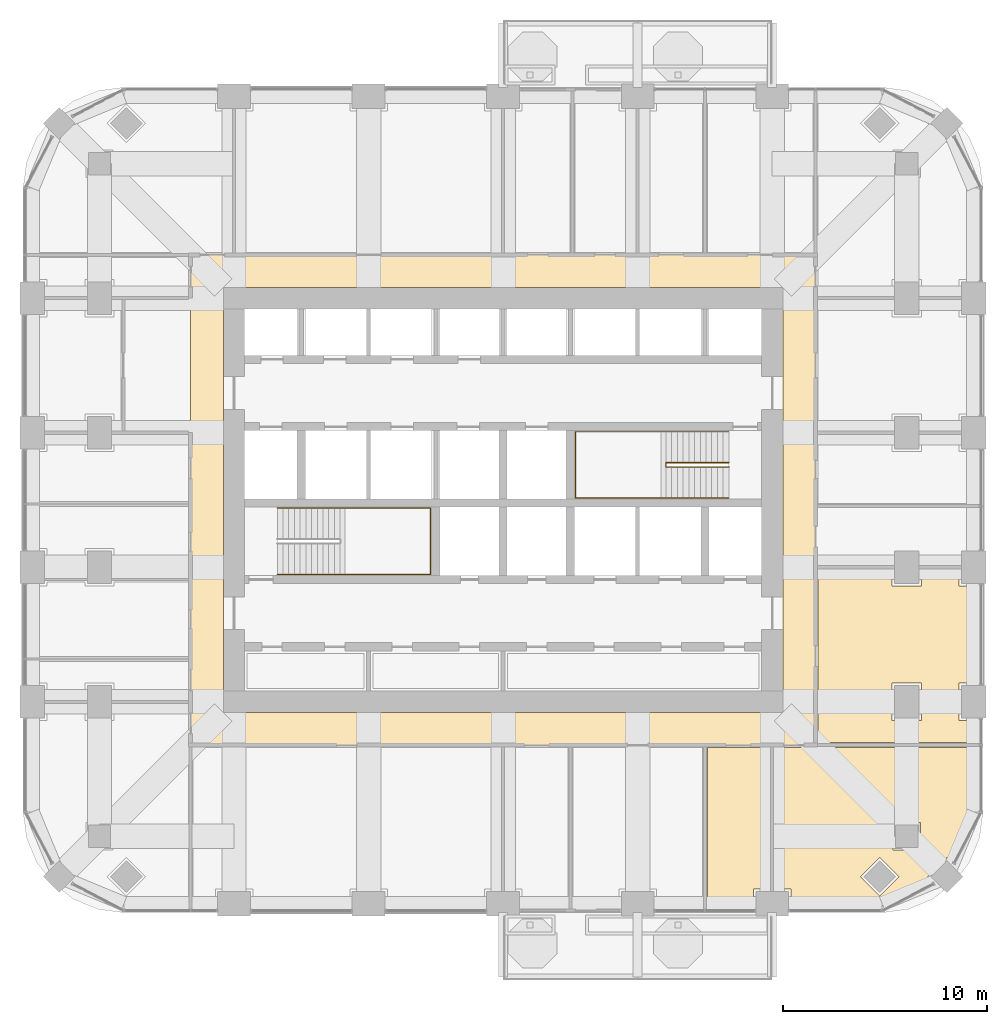
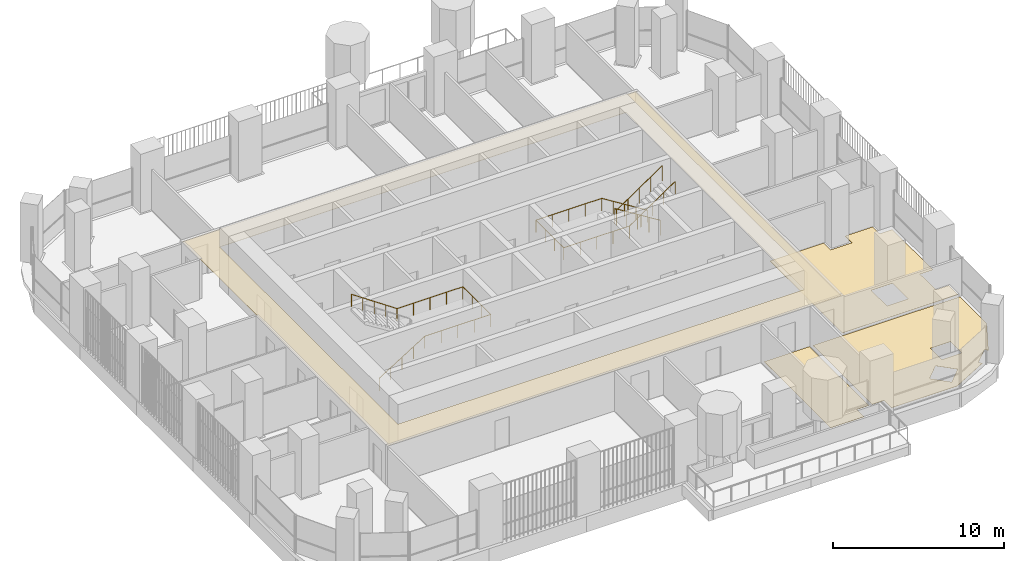
# One storey, part 17 of 19: 4 coverings, 3 railings.
"""IFC4 building model written with IfcOpenShell, lengths in metres."""

import ifcopenshell
import ifcopenshell.guid

model = None  # the IFC model being written
_history = None  # IfcOwnerHistory: only IFC2X3 demands one
_inside = {}  # id of a spatial element -> (the spatial element, [elements in it])
_under = {}  # id of a project, library or spatial element -> (it, [spatial elements below it])
_declared = {}  # id of a project -> (the project, [libraries it declares])
_typed = {}  # id of a type object -> (the type object, [elements of that type])
_made_of = {}  # id of a material, layer set ... -> (it, [elements and type objects made of it])


def new_model(schema):
    """Start an empty IFC model of exactly this schema.

    Asked for "IFC4X3", IfcOpenShell would pick the latest addendum, in which some entities
    have other attributes; the version numbers below select the first issue.
    IFC2X3 requires an IfcOwnerHistory on every rooted entity: one is made here for all.
    """
    global model, _history
    if schema == "IFC4X3":
        model = ifcopenshell.file(schema_version=(4, 3, 0, 0))
    else:
        model = ifcopenshell.file(schema=schema)
    _inside.clear()
    _under.clear()
    _declared.clear()
    _typed.clear()
    _made_of.clear()
    _history = None
    if model.schema == "IFC2X3":
        org = make("IfcOrganization", Name="unknown")
        user = make(
            "IfcPersonAndOrganization",
            ThePerson=make("IfcPerson", FamilyName="unknown"),
            TheOrganization=org,
        )
        app = make(
            "IfcApplication",
            ApplicationDeveloper=org,
            Version="unknown",
            ApplicationFullName="unknown",
            ApplicationIdentifier="unknown",
        )
        _history = make(
            "IfcOwnerHistory",
            OwningUser=user,
            OwningApplication=app,
            ChangeAction="ADDED",
            CreationDate=0,
        )
    return model


def make(cls, **values):
    """One entity of the class cls with the attributes given. An attribute that is None is left unset."""
    return model.create_entity(
        cls, **{name: value for name, value in values.items() if value is not None}
    )


def rooted(cls, **values):
    """An entity with a GlobalId (a new one), such as an element, a storey or a relation."""
    return make(cls, GlobalId=ifcopenshell.guid.new(), OwnerHistory=_history, **values)


def si_unit(unit_type, name, prefix=None):
    """IfcSIUnit, for example si_unit("LENGTHUNIT", "METRE", prefix="MILLI")."""
    return make("IfcSIUnit", UnitType=unit_type, Prefix=prefix, Name=name)


def assignment(units):
    """IfcUnitAssignment: the units of a project."""
    return None if units is None else make("IfcUnitAssignment", Units=units)


def point(xyz):
    """IfcCartesianPoint."""
    return None if xyz is None else make("IfcCartesianPoint", Coordinates=xyz)


def direction(xyz):
    """IfcDirection."""
    return None if xyz is None else make("IfcDirection", DirectionRatios=xyz)


def frame(location, z_axis=None, x_axis=None):
    """IfcAxis2Placement3D, a coordinate frame: its origin and axes. An axis left out is left unset."""
    return make(
        "IfcAxis2Placement3D",
        Location=point(location),
        Axis=direction(z_axis),
        RefDirection=direction(x_axis),
    )


def origin():
    """The frame at (0, 0, 0) with its axes left unset."""
    return frame((0.0, 0.0, 0.0))


def place(relative_to, where):
    """IfcLocalPlacement: puts the frame where relative to a parent placement (None: the world)."""
    return make(
        "IfcLocalPlacement", PlacementRelTo=relative_to, RelativePlacement=where
    )


def context(
    kind, dimensions, precision=None, world=None, true_north=None, identifier=None
):
    """IfcGeometricRepresentationContext, for example the 3D "Model" context."""
    return make(
        "IfcGeometricRepresentationContext",
        ContextIdentifier=identifier,
        ContextType=kind,
        CoordinateSpaceDimension=dimensions,
        Precision=precision,
        WorldCoordinateSystem=world,
        TrueNorth=true_north,
    )


def subcontext(parent, identifier, kind, view, scale=None):
    """IfcGeometricRepresentationSubContext, for example "Body" below "Model"."""
    return make(
        "IfcGeometricRepresentationSubContext",
        ContextIdentifier=identifier,
        ContextType=kind,
        ParentContext=parent,
        TargetScale=scale,
        TargetView=view,
    )


def project(units=None, contexts=None):
    """IfcProject with its units and contexts."""
    return rooted(
        "IfcProject",
        Name="project",
        RepresentationContexts=contexts,
        UnitsInContext=assignment(units),
    )


def spatial(cls, under=None, at=None, **own):
    """A site, building, storey or space (cls), placed at a placement, below another one or the project."""
    s = rooted(cls, ObjectPlacement=at, **own)
    if under is not None:
        _under.setdefault(under.id(), (under, []))[1].append(s)
    return s


def polyline(points):
    """IfcPolyline through the points."""
    return make("IfcPolyline", Points=[point(p) for p in points])


def outline(outer, holes=None, kind="AREA"):
    """IfcArbitraryClosedProfileDef: a profile drawn as a closed curve; with holes, ...WithVoids."""
    if holes is None:
        return make("IfcArbitraryClosedProfileDef", ProfileType=kind, OuterCurve=outer)
    return make(
        "IfcArbitraryProfileDefWithVoids",
        ProfileType=kind,
        OuterCurve=outer,
        InnerCurves=holes,
    )


def extrude(swept, where, along, depth):
    """IfcExtrudedAreaSolid: the profile swept, set in the frame where, extruded along a direction by depth."""
    return make(
        "IfcExtrudedAreaSolid",
        SweptArea=swept,
        Position=where,
        ExtrudedDirection=direction(along),
        Depth=depth,
    )


def shape(context_of_items, identifier, shape_type, items):
    """IfcShapeRepresentation: the items that make up one representation, for example the "Body"."""
    return make(
        "IfcShapeRepresentation",
        ContextOfItems=context_of_items,
        RepresentationIdentifier=identifier,
        RepresentationType=shape_type,
        Items=items,
    )


def material(Name=None, Category=None):
    """IfcMaterial."""
    return make("IfcMaterial", Name=Name, Category=Category)


def layer(
    of_material, thickness, ventilated=None, Name=None, Category=None, Priority=None
):
    """IfcMaterialLayer: one layer of a wall or slab, of a material (None: an air gap)."""
    return make(
        "IfcMaterialLayer",
        Material=of_material,
        LayerThickness=thickness,
        IsVentilated=ventilated,
        Name=Name,
        Category=Category,
        Priority=Priority,
    )


def layer_set(layers, Name=None):
    """IfcMaterialLayerSet."""
    return make("IfcMaterialLayerSet", MaterialLayers=layers, LayerSetName=Name)


def made_of(thing, what):
    """Note that an element or type object is made of a material, layer set ...; save() writes the relation."""
    if what is not None:
        _made_of.setdefault(what.id(), (what, []))[1].append(thing)
    return thing


def type_object(cls, material=None, **own):
    """A type object (cls), such as IfcWallType, which elements share."""
    return made_of(rooted(cls, **own), material)


def element(
    cls,
    number,
    at=None,
    inside=None,
    cuts=None,
    type_object=None,
    material=None,
    context=None,
    identifier="Body",
    shape_type=None,
    held_by="IfcProductDefinitionShape",
    body=None,
    shapes=None,
    **own,
):
    """One element of the class cls, such as IfcWall. Its Tag is "e" and its number.

    at: its placement. inside: the storey or other place that contains it. cuts: it is an
    opening in that element (IfcRelVoidsElement). A single representation is given by context,
    identifier, shape_type and body (its items); several are given by shapes. held_by: the class
    of the entity that holds the representations. save() writes the other relations.
    """
    e = rooted(cls, Tag="e%d" % number, ObjectPlacement=at, **own)
    if body is not None:
        shapes = [shape(context, identifier, shape_type, body)]
    if shapes is not None:
        e.Representation = make(held_by, Representations=shapes)
    if inside is not None:
        _inside.setdefault(inside.id(), (inside, []))[1].append(e)
    if cuts is not None:
        rooted(
            "IfcRelVoidsElement", RelatingBuildingElement=cuts, RelatedOpeningElement=e
        )
    if type_object is not None:
        _typed.setdefault(type_object.id(), (type_object, []))[1].append(e)
    return made_of(e, material)


def aggregate(whole, parts):
    """IfcRelAggregates: a whole, such as a stair, and the parts it consists of."""
    return rooted("IfcRelAggregates", RelatingObject=whole, RelatedObjects=parts)


def save(model, path):
    """Write the relations noted so far, then the file.

    IfcRelAggregates (storeys below a building ...), IfcRelContainedInSpatialStructure (elements
    in a storey), IfcRelDefinesByType, IfcRelAssociatesMaterial and IfcRelDeclares: one each for
    every whole, place, type object, material and project.
    """
    for whole, parts in _under.values():
        aggregate(whole, parts)
    for where, things in _inside.values():
        rooted(
            "IfcRelContainedInSpatialStructure",
            RelatedElements=things,
            RelatingStructure=where,
        )
    for kind, things in _typed.values():
        rooted("IfcRelDefinesByType", RelatedObjects=things, RelatingType=kind)
    for what, things in _made_of.values():
        rooted("IfcRelAssociatesMaterial", RelatedObjects=things, RelatingMaterial=what)
    for by, libraries in _declared.values():
        rooted("IfcRelDeclares", RelatingContext=by, RelatedDefinitions=libraries)
    model.write(path)


model = new_model("IFC4")

# Units and contexts
model_context = context("Model", 3, precision=1e-05, world=origin(), true_north=direction((0.0, 1.0)))
body_context = subcontext(model_context, "Body", "Model", "MODEL_VIEW")
ifc_project = project(units=[si_unit("LENGTHUNIT", "METRE"), si_unit("AREAUNIT", "SQUARE_METRE"), si_unit("VOLUMEUNIT", "CUBIC_METRE"), si_unit("PLANEANGLEUNIT", "RADIAN"), si_unit("MASSUNIT", "GRAM", prefix="KILO")], contexts=[model_context])

# Site, building, storey
site_placement = place(None, origin())
site = spatial("IfcSite", under=ifc_project, at=site_placement, CompositionType="ELEMENT")
building_placement = place(site_placement, origin())
building = spatial("IfcBuilding", under=site, at=building_placement, Name="Cobogo Forest Laboratory Tower", CompositionType="ELEMENT")
storey_placement = place(building_placement, frame((0.0, 0.0, 172.5)))
storey = spatial("IfcBuildingStorey", under=building, at=storey_placement, Name="L39", CompositionType="ELEMENT", Elevation=172.5)

# Coverings
ifc_material_1 = material(Name="Mineral fibre ceiling tile", Category="ceiling")
ifc_layer_1 = layer(ifc_material_1, 0.02001953125)
ifc_layer_set_1 = layer_set([ifc_layer_1], Name="CL1 suspended ceiling")
covering_type_1 = type_object("IfcCoveringType", Name="CL1 suspended ceiling", PredefinedType="CEILING", material=ifc_layer_set_1)
covering_1_placement = place(storey_placement, frame((0.0, 0.0, 2.800048828125)))
element("IfcCovering", 1, at=covering_1_placement, inside=storey, type_object=covering_type_1, Name="Corridor ceiling L39", PredefinedType="CEILING", context=body_context, shape_type="SweptSolid", body=[
    extrude(outline(polyline([(11.074951171875, 11.074951171875), (11.074951171875, 35.125), (41.72509765625, 35.125), (41.72509765625, 11.074951171875), (11.074951171875, 11.074951171875)]), holes=[polyline([(40.125, 33.52490234375), (12.675048828125, 33.52490234375), (12.675048828125, 12.675048828125), (40.125, 12.675048828125), (40.125, 33.52490234375)])]), origin(), (0.0, 0.0, 1.0), 0.02001953125),
])
ifc_material_2 = material(Name="Carpet tile on raised access floor", Category="flooring")
ifc_layer_2 = layer(ifc_material_2, 0.008056640625)
ifc_layer_set_2 = layer_set([ifc_layer_2], Name="CT1 carpet tile floor 8")
covering_type_2 = type_object("IfcCoveringType", Name="CT1 carpet tile floor 8", PredefinedType="FLOORING", material=ifc_layer_set_2)
covering_2_placement = place(storey_placement, origin())
element("IfcCovering", 2, at=covering_2_placement, inside=storey, type_object=covering_type_2, Name="Carpet floor L39-05", PredefinedType="FLOORING", context=body_context, shape_type="SweptSolid", body=[
    extrude(outline(polyline([(49.64990234375, 10.955078125), (49.64990234375, 7.84912109375), (48.359619140625, 5.387939453125), (48.181884765625, 5.5654296875), (47.234375, 4.617919921875), (47.412109375, 4.440185546875), (44.95068359375, 3.14990234375), (40.52001953125, 3.14990234375), (40.52001953125, 4.02001953125), (39.719970703125, 4.02001953125), (39.719970703125, 10.955078125), (49.64990234375, 10.955078125)]), holes=[polyline([(45.530029296875, 5.929931640625), (46.8701171875, 5.929931640625), (46.8701171875, 7.27001953125), (45.530029296875, 7.27001953125), (45.530029296875, 5.929931640625)]), polyline([(44.882080078125, 3.67041015625), (45.82958984375, 4.617919921875), (44.882080078125, 5.5654296875), (43.9345703125, 4.617919921875), (44.882080078125, 3.67041015625)])]), origin(), (0.0, 0.0, 1.0), 0.008056640625),
])
covering_3_placement = place(storey_placement, origin())
element("IfcCovering", 3, at=covering_3_placement, inside=storey, type_object=covering_type_2, Name="Carpet floor L39-06", PredefinedType="FLOORING", context=body_context, shape_type="SweptSolid", body=[
    extrude(outline(polyline([(41.844970703125, 19.679931640625), (45.47998046875, 19.679931640625), (45.47998046875, 18.8798828125), (46.919921875, 18.8798828125), (46.919921875, 19.679931640625), (48.780029296875, 19.679931640625), (48.780029296875, 18.8798828125), (49.64990234375, 18.8798828125), (49.64990234375, 14.1201171875), (48.780029296875, 14.1201171875), (48.780029296875, 12.280029296875), (49.64990234375, 12.280029296875), (49.64990234375, 11.195068359375), (41.844970703125, 11.195068359375), (41.844970703125, 19.679931640625)]), holes=[polyline([(46.919921875, 12.280029296875), (46.919921875, 14.1201171875), (45.47998046875, 14.1201171875), (45.47998046875, 12.280029296875), (46.919921875, 12.280029296875)])]), origin(), (0.0, 0.0, 1.0), 0.008056640625),
])

# Railings
ifc_material_3 = material(Name="Steel balustrade", Category="steel")
railing_type_1 = type_object("IfcRailingType", Name="GR stair guard 1100", PredefinedType="GUARDRAIL", material=ifc_material_3)
railing_1_placement = place(storey_placement, frame((37.47509765625, 24.929931640625, 0.175048828125)))
element("IfcRailing", 4, at=railing_1_placement, inside=storey, type_object=railing_type_1, Name="Stair guard ST2 L39", PredefinedType="GUARDRAIL", context=body_context, shape_type="SweptSolid", body=[
    extrude(outline(polyline([(0.022216796875, 0.00927734375), (0.00927734375, 0.022216796875), (-0.00927734375, 0.022216796875), (-0.022216796875, 0.00927734375), (-0.022216796875, -0.00927734375), (-0.00927734375, -0.022216796875), (0.00927734375, -0.022216796875), (0.022216796875, -0.00927734375), (0.022216796875, 0.00927734375)])), frame((0.0, 0.0, 1.077880859375), z_axis=(-0.847998304005, 0.0, 0.529998940003), x_axis=(0.0, -1.0, 0.0)), (0.0, 0.0, 1.0), 3.632080078125),
    extrude(outline(polyline([(0.022216796875, 0.00927734375), (0.00927734375, 0.022216796875), (-0.00927734375, 0.022216796875), (-0.022216796875, 0.00927734375), (-0.022216796875, -0.00927734375), (-0.00927734375, -0.022216796875), (0.00927734375, -0.022216796875), (0.022216796875, -0.00927734375), (0.022216796875, 0.00927734375)])), frame((-3.080078125, 0.0, 3.0029296875), z_axis=(0.0, -1.0, 0.0), x_axis=(1.0, 0.0, 0.0)), (0.0, 0.0, 1.0), 0.2099609375),
    extrude(outline(polyline([(0.022216796875, 0.00927734375), (0.00927734375, 0.022216796875), (-0.00927734375, 0.022216796875), (-0.022216796875, 0.00927734375), (-0.022216796875, -0.00927734375), (-0.00927734375, -0.022216796875), (0.00927734375, -0.022216796875), (0.022216796875, -0.00927734375), (0.022216796875, 0.00927734375)])), frame((-3.080078125, -0.2099609375, 3.0029296875), z_axis=(0.826252282691, 0.0, 0.563300244406), x_axis=(0.0, 1.0, 0.0)), (0.0, 0.0, 1.0), 3.727783203125),
    extrude(outline(polyline([(0.019287109375, 0.008056640625), (0.008056640625, 0.019287109375), (-0.008056640625, 0.019287109375), (-0.019287109375, 0.008056640625), (-0.019287109375, -0.008056640625), (-0.008056640625, -0.019287109375), (0.008056640625, -0.019287109375), (0.019287109375, -0.008056640625), (0.019287109375, 0.008056640625)])), origin(), (0.0, 0.0, 1.0), 1.077880859375),
    extrude(outline(polyline([(0.019287109375, 0.008056640625), (0.008056640625, 0.019287109375), (-0.008056640625, 0.019287109375), (-0.019287109375, 0.008056640625), (-0.019287109375, -0.008056640625), (-0.008056640625, -0.019287109375), (0.008056640625, -0.019287109375), (0.019287109375, -0.008056640625), (0.019287109375, 0.008056640625)])), frame((-0.77001953125, 0.0, 0.481201171875)), (0.0, 0.0, 1.0), 1.077880859375),
    extrude(outline(polyline([(0.019287109375, 0.008056640625), (0.008056640625, 0.019287109375), (-0.008056640625, 0.019287109375), (-0.019287109375, 0.008056640625), (-0.019287109375, -0.008056640625), (-0.008056640625, -0.019287109375), (0.008056640625, -0.019287109375), (0.019287109375, -0.008056640625), (0.019287109375, 0.008056640625)])), frame((-1.5400390625, 0.0, 0.96240234375)), (0.0, 0.0, 1.0), 1.077880859375),
    extrude(outline(polyline([(0.019287109375, 0.008056640625), (0.008056640625, 0.019287109375), (-0.008056640625, 0.019287109375), (-0.019287109375, 0.008056640625), (-0.019287109375, -0.008056640625), (-0.008056640625, -0.019287109375), (0.008056640625, -0.019287109375), (0.019287109375, -0.008056640625), (0.019287109375, 0.008056640625)])), frame((-2.31005859375, 0.0, 1.44384765625)), (0.0, 0.0, 1.0), 1.077880859375),
    extrude(outline(polyline([(0.019287109375, 0.008056640625), (0.008056640625, 0.019287109375), (-0.008056640625, 0.019287109375), (-0.019287109375, 0.008056640625), (-0.019287109375, -0.008056640625), (-0.008056640625, -0.019287109375), (0.008056640625, -0.019287109375), (0.019287109375, -0.008056640625), (0.019287109375, 0.008056640625)])), frame((-3.080078125, 0.0, 1.925048828125)), (0.0, 0.0, 1.0), 1.077880859375),
    extrude(outline(polyline([(0.019287109375, 0.008056640625), (0.008056640625, 0.019287109375), (-0.008056640625, 0.019287109375), (-0.019287109375, 0.008056640625), (-0.019287109375, -0.008056640625), (-0.008056640625, -0.019287109375), (0.008056640625, -0.019287109375), (0.019287109375, -0.008056640625), (0.019287109375, 0.008056640625)])), frame((-3.080078125, -0.2099609375, 1.925048828125)), (0.0, 0.0, 1.0), 1.077880859375),
    extrude(outline(polyline([(0.019287109375, 0.008056640625), (0.008056640625, 0.019287109375), (-0.008056640625, 0.019287109375), (-0.019287109375, 0.008056640625), (-0.019287109375, -0.008056640625), (-0.008056640625, -0.019287109375), (0.008056640625, -0.019287109375), (0.019287109375, -0.008056640625), (0.019287109375, 0.008056640625)])), frame((-2.31005859375, -0.2099609375, 2.449951171875)), (0.0, 0.0, 1.0), 1.077880859375),
    extrude(outline(polyline([(0.019287109375, 0.008056640625), (0.008056640625, 0.019287109375), (-0.008056640625, 0.019287109375), (-0.019287109375, 0.008056640625), (-0.019287109375, -0.008056640625), (-0.008056640625, -0.019287109375), (0.008056640625, -0.019287109375), (0.019287109375, -0.008056640625), (0.019287109375, 0.008056640625)])), frame((-1.5400390625, -0.2099609375, 2.97509765625)), (0.0, 0.0, 1.0), 1.077880859375),
    extrude(outline(polyline([(0.019287109375, 0.008056640625), (0.008056640625, 0.019287109375), (-0.008056640625, 0.019287109375), (-0.019287109375, 0.008056640625), (-0.019287109375, -0.008056640625), (-0.008056640625, -0.019287109375), (0.008056640625, -0.019287109375), (0.019287109375, -0.008056640625), (0.019287109375, 0.008056640625)])), frame((-0.77001953125, -0.2099609375, 3.5)), (0.0, 0.0, 1.0), 1.077880859375),
    extrude(outline(polyline([(0.019287109375, 0.008056640625), (0.008056640625, 0.019287109375), (-0.008056640625, 0.019287109375), (-0.019287109375, 0.008056640625), (-0.019287109375, -0.008056640625), (-0.008056640625, -0.019287109375), (0.008056640625, -0.019287109375), (0.019287109375, -0.008056640625), (0.019287109375, 0.008056640625)])), frame((0.0, -0.2099609375, 4.02490234375)), (0.0, 0.0, 1.0), 1.077880859375),
])
ifc_material_4 = material(Name="Stainless steel handrail", Category="steel")
railing_type_2 = type_object("IfcRailingType", Name="HR handrail 900", PredefinedType="HANDRAIL", material=ifc_material_4)
railing_2_placement = place(storey_placement, frame((15.324951171875, 19.449951171875, 0.175048828125)))
element("IfcRailing", 5, at=railing_2_placement, inside=storey, type_object=railing_type_2, Name="Stair handrail ST1 L39", PredefinedType="HANDRAIL", context=body_context, shape_type="SweptSolid", body=[
    extrude(outline(polyline([(0.022216796875, 0.00927734375), (0.00927734375, 0.022216796875), (-0.00927734375, 0.022216796875), (-0.022216796875, 0.00927734375), (-0.022216796875, -0.00927734375), (-0.00927734375, -0.022216796875), (0.00927734375, -0.022216796875), (0.022216796875, -0.00927734375), (0.022216796875, 0.00927734375)])), frame((0.0, 0.0, 0.877685546875), z_axis=(0.847998304005, 0.0, 0.529998940003), x_axis=(0.0, 1.0, 0.0)), (0.0, 0.0, 1.0), 3.632080078125),
    extrude(outline(polyline([(0.022216796875, 0.00927734375), (0.00927734375, 0.022216796875), (-0.00927734375, 0.022216796875), (-0.022216796875, 0.00927734375), (-0.022216796875, -0.00927734375), (-0.00927734375, -0.022216796875), (0.00927734375, -0.022216796875), (0.022216796875, -0.00927734375), (0.022216796875, 0.00927734375)])), frame((3.080078125, 0.0, 2.802734375), z_axis=(1.0, 0.0, 0.0), x_axis=(0.0, 1.0, 0.0)), (0.0, 0.0, 1.0), 4.445068359375),
    extrude(outline(polyline([(0.022216796875, 0.00927734375), (0.00927734375, 0.022216796875), (-0.00927734375, 0.022216796875), (-0.022216796875, 0.00927734375), (-0.022216796875, -0.00927734375), (-0.00927734375, -0.022216796875), (0.00927734375, -0.022216796875), (0.022216796875, -0.00927734375), (0.022216796875, 0.00927734375)])), frame((7.525146484375, 0.0, 2.802734375), z_axis=(0.0, 1.0, 0.0), x_axis=(-1.0, 0.0, 0.0)), (0.0, 0.0, 1.0), 3.25),
    extrude(outline(polyline([(0.022216796875, 0.00927734375), (0.00927734375, 0.022216796875), (-0.00927734375, 0.022216796875), (-0.022216796875, 0.00927734375), (-0.022216796875, -0.00927734375), (-0.00927734375, -0.022216796875), (0.00927734375, -0.022216796875), (0.022216796875, -0.00927734375), (0.022216796875, 0.00927734375)])), frame((7.525146484375, 3.25, 2.802734375), z_axis=(-1.0, 0.0, 0.0), x_axis=(0.0, -1.0, 0.0)), (0.0, 0.0, 1.0), 4.445068359375),
    extrude(outline(polyline([(0.022216796875, 0.00927734375), (0.00927734375, 0.022216796875), (-0.00927734375, 0.022216796875), (-0.022216796875, 0.00927734375), (-0.022216796875, -0.00927734375), (-0.00927734375, -0.022216796875), (0.00927734375, -0.022216796875), (0.022216796875, -0.00927734375), (0.022216796875, 0.00927734375)])), frame((3.080078125, 3.25, 2.802734375), z_axis=(-0.826252282691, 0.0, 0.563300244406), x_axis=(0.0, -1.0, 0.0)), (0.0, 0.0, 1.0), 3.727783203125),
    extrude(outline(polyline([(0.019287109375, 0.008056640625), (0.008056640625, 0.019287109375), (-0.008056640625, 0.019287109375), (-0.019287109375, 0.008056640625), (-0.019287109375, -0.008056640625), (-0.008056640625, -0.019287109375), (0.008056640625, -0.019287109375), (0.019287109375, -0.008056640625), (0.019287109375, 0.008056640625)])), origin(), (0.0, 0.0, 1.0), 0.877685546875),
    extrude(outline(polyline([(0.019287109375, 0.008056640625), (0.008056640625, 0.019287109375), (-0.008056640625, 0.019287109375), (-0.019287109375, 0.008056640625), (-0.019287109375, -0.008056640625), (-0.008056640625, -0.019287109375), (0.008056640625, -0.019287109375), (0.019287109375, -0.008056640625), (0.019287109375, 0.008056640625)])), frame((0.77001953125, 0.0, 0.481201171875)), (0.0, 0.0, 1.0), 0.877685546875),
    extrude(outline(polyline([(0.019287109375, 0.008056640625), (0.008056640625, 0.019287109375), (-0.008056640625, 0.019287109375), (-0.019287109375, 0.008056640625), (-0.019287109375, -0.008056640625), (-0.008056640625, -0.019287109375), (0.008056640625, -0.019287109375), (0.019287109375, -0.008056640625), (0.019287109375, 0.008056640625)])), frame((1.5400390625, 0.0, 0.96240234375)), (0.0, 0.0, 1.0), 0.877685546875),
    extrude(outline(polyline([(0.019287109375, 0.008056640625), (0.008056640625, 0.019287109375), (-0.008056640625, 0.019287109375), (-0.019287109375, 0.008056640625), (-0.019287109375, -0.008056640625), (-0.008056640625, -0.019287109375), (0.008056640625, -0.019287109375), (0.019287109375, -0.008056640625), (0.019287109375, 0.008056640625)])), frame((2.31005859375, 0.0, 1.44384765625)), (0.0, 0.0, 1.0), 0.877685546875),
    extrude(outline(polyline([(0.019287109375, 0.008056640625), (0.008056640625, 0.019287109375), (-0.008056640625, 0.019287109375), (-0.019287109375, 0.008056640625), (-0.019287109375, -0.008056640625), (-0.008056640625, -0.019287109375), (0.008056640625, -0.019287109375), (0.019287109375, -0.008056640625), (0.019287109375, 0.008056640625)])), frame((3.080078125, 0.0, 1.925048828125)), (0.0, 0.0, 1.0), 0.877685546875),
    extrude(outline(polyline([(0.019287109375, 0.008056640625), (0.008056640625, 0.019287109375), (-0.008056640625, 0.019287109375), (-0.019287109375, 0.008056640625), (-0.019287109375, -0.008056640625), (-0.008056640625, -0.019287109375), (0.008056640625, -0.019287109375), (0.019287109375, -0.008056640625), (0.019287109375, 0.008056640625)])), frame((4.19140625, 0.0, 1.925048828125)), (0.0, 0.0, 1.0), 0.877685546875),
    extrude(outline(polyline([(0.019287109375, 0.008056640625), (0.008056640625, 0.019287109375), (-0.008056640625, 0.019287109375), (-0.019287109375, 0.008056640625), (-0.019287109375, -0.008056640625), (-0.008056640625, -0.019287109375), (0.008056640625, -0.019287109375), (0.019287109375, -0.008056640625), (0.019287109375, 0.008056640625)])), frame((5.302734375, 0.0, 1.925048828125)), (0.0, 0.0, 1.0), 0.877685546875),
    extrude(outline(polyline([(0.019287109375, 0.008056640625), (0.008056640625, 0.019287109375), (-0.008056640625, 0.019287109375), (-0.019287109375, 0.008056640625), (-0.019287109375, -0.008056640625), (-0.008056640625, -0.019287109375), (0.008056640625, -0.019287109375), (0.019287109375, -0.008056640625), (0.019287109375, 0.008056640625)])), frame((6.413818359375, 0.0, 1.925048828125)), (0.0, 0.0, 1.0), 0.877685546875),
    extrude(outline(polyline([(0.019287109375, 0.008056640625), (0.008056640625, 0.019287109375), (-0.008056640625, 0.019287109375), (-0.019287109375, 0.008056640625), (-0.019287109375, -0.008056640625), (-0.008056640625, -0.019287109375), (0.008056640625, -0.019287109375), (0.019287109375, -0.008056640625), (0.019287109375, 0.008056640625)])), frame((7.525146484375, 0.0, 1.925048828125)), (0.0, 0.0, 1.0), 0.877685546875),
    extrude(outline(polyline([(0.019287109375, 0.008056640625), (0.008056640625, 0.019287109375), (-0.008056640625, 0.019287109375), (-0.019287109375, 0.008056640625), (-0.019287109375, -0.008056640625), (-0.008056640625, -0.019287109375), (0.008056640625, -0.019287109375), (0.019287109375, -0.008056640625), (0.019287109375, 0.008056640625)])), frame((7.525146484375, 1.083251953125, 1.925048828125)), (0.0, 0.0, 1.0), 0.877685546875),
    extrude(outline(polyline([(0.019287109375, 0.008056640625), (0.008056640625, 0.019287109375), (-0.008056640625, 0.019287109375), (-0.019287109375, 0.008056640625), (-0.019287109375, -0.008056640625), (-0.008056640625, -0.019287109375), (0.008056640625, -0.019287109375), (0.019287109375, -0.008056640625), (0.019287109375, 0.008056640625)])), frame((7.525146484375, 2.166748046875, 1.925048828125)), (0.0, 0.0, 1.0), 0.877685546875),
    extrude(outline(polyline([(0.019287109375, 0.008056640625), (0.008056640625, 0.019287109375), (-0.008056640625, 0.019287109375), (-0.019287109375, 0.008056640625), (-0.019287109375, -0.008056640625), (-0.008056640625, -0.019287109375), (0.008056640625, -0.019287109375), (0.019287109375, -0.008056640625), (0.019287109375, 0.008056640625)])), frame((7.525146484375, 3.25, 1.925048828125)), (0.0, 0.0, 1.0), 0.877685546875),
    extrude(outline(polyline([(0.019287109375, 0.008056640625), (0.008056640625, 0.019287109375), (-0.008056640625, 0.019287109375), (-0.019287109375, 0.008056640625), (-0.019287109375, -0.008056640625), (-0.008056640625, -0.019287109375), (0.008056640625, -0.019287109375), (0.019287109375, -0.008056640625), (0.019287109375, 0.008056640625)])), frame((6.413818359375, 3.25, 1.925048828125)), (0.0, 0.0, 1.0), 0.877685546875),
    extrude(outline(polyline([(0.019287109375, 0.008056640625), (0.008056640625, 0.019287109375), (-0.008056640625, 0.019287109375), (-0.019287109375, 0.008056640625), (-0.019287109375, -0.008056640625), (-0.008056640625, -0.019287109375), (0.008056640625, -0.019287109375), (0.019287109375, -0.008056640625), (0.019287109375, 0.008056640625)])), frame((5.302734375, 3.25, 1.925048828125)), (0.0, 0.0, 1.0), 0.877685546875),
    extrude(outline(polyline([(0.019287109375, 0.008056640625), (0.008056640625, 0.019287109375), (-0.008056640625, 0.019287109375), (-0.019287109375, 0.008056640625), (-0.019287109375, -0.008056640625), (-0.008056640625, -0.019287109375), (0.008056640625, -0.019287109375), (0.019287109375, -0.008056640625), (0.019287109375, 0.008056640625)])), frame((4.19140625, 3.25, 1.925048828125)), (0.0, 0.0, 1.0), 0.877685546875),
    extrude(outline(polyline([(0.019287109375, 0.008056640625), (0.008056640625, 0.019287109375), (-0.008056640625, 0.019287109375), (-0.019287109375, 0.008056640625), (-0.019287109375, -0.008056640625), (-0.008056640625, -0.019287109375), (0.008056640625, -0.019287109375), (0.019287109375, -0.008056640625), (0.019287109375, 0.008056640625)])), frame((3.080078125, 3.25, 1.925048828125)), (0.0, 0.0, 1.0), 0.877685546875),
    extrude(outline(polyline([(0.019287109375, 0.008056640625), (0.008056640625, 0.019287109375), (-0.008056640625, 0.019287109375), (-0.019287109375, 0.008056640625), (-0.019287109375, -0.008056640625), (-0.008056640625, -0.019287109375), (0.008056640625, -0.019287109375), (0.019287109375, -0.008056640625), (0.019287109375, 0.008056640625)])), frame((2.31005859375, 3.25, 2.449951171875)), (0.0, 0.0, 1.0), 0.877685546875),
    extrude(outline(polyline([(0.019287109375, 0.008056640625), (0.008056640625, 0.019287109375), (-0.008056640625, 0.019287109375), (-0.019287109375, 0.008056640625), (-0.019287109375, -0.008056640625), (-0.008056640625, -0.019287109375), (0.008056640625, -0.019287109375), (0.019287109375, -0.008056640625), (0.019287109375, 0.008056640625)])), frame((1.5400390625, 3.25, 2.97509765625)), (0.0, 0.0, 1.0), 0.877685546875),
    extrude(outline(polyline([(0.019287109375, 0.008056640625), (0.008056640625, 0.019287109375), (-0.008056640625, 0.019287109375), (-0.019287109375, 0.008056640625), (-0.019287109375, -0.008056640625), (-0.008056640625, -0.019287109375), (0.008056640625, -0.019287109375), (0.019287109375, -0.008056640625), (0.019287109375, 0.008056640625)])), frame((0.77001953125, 3.25, 3.5)), (0.0, 0.0, 1.0), 0.877685546875),
    extrude(outline(polyline([(0.019287109375, 0.008056640625), (0.008056640625, 0.019287109375), (-0.008056640625, 0.019287109375), (-0.019287109375, 0.008056640625), (-0.019287109375, -0.008056640625), (-0.008056640625, -0.019287109375), (0.008056640625, -0.019287109375), (0.019287109375, -0.008056640625), (0.019287109375, 0.008056640625)])), frame((0.0, 3.25, 4.02490234375)), (0.0, 0.0, 1.0), 0.877685546875),
])
railing_3_placement = place(storey_placement, frame((37.47509765625, 26.449951171875, 0.175048828125)))
element("IfcRailing", 6, at=railing_3_placement, inside=storey, type_object=railing_type_2, Name="Stair handrail ST2 L39", PredefinedType="HANDRAIL", context=body_context, shape_type="SweptSolid", body=[
    extrude(outline(polyline([(0.022216796875, 0.00927734375), (0.00927734375, 0.022216796875), (-0.00927734375, 0.022216796875), (-0.022216796875, 0.00927734375), (-0.022216796875, -0.00927734375), (-0.00927734375, -0.022216796875), (0.00927734375, -0.022216796875), (0.022216796875, -0.00927734375), (0.022216796875, 0.00927734375)])), frame((0.0, 0.0, 0.877685546875), z_axis=(-0.847998304005, 0.0, 0.529998940003), x_axis=(0.0, -1.0, 0.0)), (0.0, 0.0, 1.0), 3.632080078125),
    extrude(outline(polyline([(0.022216796875, 0.00927734375), (0.00927734375, 0.022216796875), (-0.00927734375, 0.022216796875), (-0.022216796875, 0.00927734375), (-0.022216796875, -0.00927734375), (-0.00927734375, -0.022216796875), (0.00927734375, -0.022216796875), (0.022216796875, -0.00927734375), (0.022216796875, 0.00927734375)])), frame((-3.080078125, 0.0, 2.802734375), z_axis=(-1.0, 0.0, 0.0), x_axis=(0.0, -1.0, 0.0)), (0.0, 0.0, 1.0), 4.445068359375),
    extrude(outline(polyline([(0.022216796875, 0.00927734375), (0.00927734375, 0.022216796875), (-0.00927734375, 0.022216796875), (-0.022216796875, 0.00927734375), (-0.022216796875, -0.00927734375), (-0.00927734375, -0.022216796875), (0.00927734375, -0.022216796875), (0.022216796875, -0.00927734375), (0.022216796875, 0.00927734375)])), frame((-7.525146484375, 0.0, 2.802734375), z_axis=(0.0, -1.0, 0.0), x_axis=(1.0, 0.0, 0.0)), (0.0, 0.0, 1.0), 3.25),
    extrude(outline(polyline([(0.022216796875, 0.00927734375), (0.00927734375, 0.022216796875), (-0.00927734375, 0.022216796875), (-0.022216796875, 0.00927734375), (-0.022216796875, -0.00927734375), (-0.00927734375, -0.022216796875), (0.00927734375, -0.022216796875), (0.022216796875, -0.00927734375), (0.022216796875, 0.00927734375)])), frame((-7.525146484375, -3.25, 2.802734375), z_axis=(1.0, 0.0, 0.0), x_axis=(0.0, 1.0, 0.0)), (0.0, 0.0, 1.0), 4.445068359375),
    extrude(outline(polyline([(0.022216796875, 0.00927734375), (0.00927734375, 0.022216796875), (-0.00927734375, 0.022216796875), (-0.022216796875, 0.00927734375), (-0.022216796875, -0.00927734375), (-0.00927734375, -0.022216796875), (0.00927734375, -0.022216796875), (0.022216796875, -0.00927734375), (0.022216796875, 0.00927734375)])), frame((-3.080078125, -3.25, 2.802734375), z_axis=(0.826252282691, 0.0, 0.563300244406), x_axis=(0.0, 1.0, 0.0)), (0.0, 0.0, 1.0), 3.727783203125),
    extrude(outline(polyline([(0.019287109375, 0.008056640625), (0.008056640625, 0.019287109375), (-0.008056640625, 0.019287109375), (-0.019287109375, 0.008056640625), (-0.019287109375, -0.008056640625), (-0.008056640625, -0.019287109375), (0.008056640625, -0.019287109375), (0.019287109375, -0.008056640625), (0.019287109375, 0.008056640625)])), origin(), (0.0, 0.0, 1.0), 0.877685546875),
    extrude(outline(polyline([(0.019287109375, 0.008056640625), (0.008056640625, 0.019287109375), (-0.008056640625, 0.019287109375), (-0.019287109375, 0.008056640625), (-0.019287109375, -0.008056640625), (-0.008056640625, -0.019287109375), (0.008056640625, -0.019287109375), (0.019287109375, -0.008056640625), (0.019287109375, 0.008056640625)])), frame((-0.77001953125, 0.0, 0.481201171875)), (0.0, 0.0, 1.0), 0.877685546875),
    extrude(outline(polyline([(0.019287109375, 0.008056640625), (0.008056640625, 0.019287109375), (-0.008056640625, 0.019287109375), (-0.019287109375, 0.008056640625), (-0.019287109375, -0.008056640625), (-0.008056640625, -0.019287109375), (0.008056640625, -0.019287109375), (0.019287109375, -0.008056640625), (0.019287109375, 0.008056640625)])), frame((-1.5400390625, 0.0, 0.96240234375)), (0.0, 0.0, 1.0), 0.877685546875),
    extrude(outline(polyline([(0.019287109375, 0.008056640625), (0.008056640625, 0.019287109375), (-0.008056640625, 0.019287109375), (-0.019287109375, 0.008056640625), (-0.019287109375, -0.008056640625), (-0.008056640625, -0.019287109375), (0.008056640625, -0.019287109375), (0.019287109375, -0.008056640625), (0.019287109375, 0.008056640625)])), frame((-2.31005859375, 0.0, 1.44384765625)), (0.0, 0.0, 1.0), 0.877685546875),
    extrude(outline(polyline([(0.019287109375, 0.008056640625), (0.008056640625, 0.019287109375), (-0.008056640625, 0.019287109375), (-0.019287109375, 0.008056640625), (-0.019287109375, -0.008056640625), (-0.008056640625, -0.019287109375), (0.008056640625, -0.019287109375), (0.019287109375, -0.008056640625), (0.019287109375, 0.008056640625)])), frame((-3.080078125, 0.0, 1.925048828125)), (0.0, 0.0, 1.0), 0.877685546875),
    extrude(outline(polyline([(0.019287109375, 0.008056640625), (0.008056640625, 0.019287109375), (-0.008056640625, 0.019287109375), (-0.019287109375, 0.008056640625), (-0.019287109375, -0.008056640625), (-0.008056640625, -0.019287109375), (0.008056640625, -0.019287109375), (0.019287109375, -0.008056640625), (0.019287109375, 0.008056640625)])), frame((-4.19140625, 0.0, 1.925048828125)), (0.0, 0.0, 1.0), 0.877685546875),
    extrude(outline(polyline([(0.019287109375, 0.008056640625), (0.008056640625, 0.019287109375), (-0.008056640625, 0.019287109375), (-0.019287109375, 0.008056640625), (-0.019287109375, -0.008056640625), (-0.008056640625, -0.019287109375), (0.008056640625, -0.019287109375), (0.019287109375, -0.008056640625), (0.019287109375, 0.008056640625)])), frame((-5.302734375, 0.0, 1.925048828125)), (0.0, 0.0, 1.0), 0.877685546875),
    extrude(outline(polyline([(0.019287109375, 0.008056640625), (0.008056640625, 0.019287109375), (-0.008056640625, 0.019287109375), (-0.019287109375, 0.008056640625), (-0.019287109375, -0.008056640625), (-0.008056640625, -0.019287109375), (0.008056640625, -0.019287109375), (0.019287109375, -0.008056640625), (0.019287109375, 0.008056640625)])), frame((-6.413818359375, 0.0, 1.925048828125)), (0.0, 0.0, 1.0), 0.877685546875),
    extrude(outline(polyline([(0.019287109375, 0.008056640625), (0.008056640625, 0.019287109375), (-0.008056640625, 0.019287109375), (-0.019287109375, 0.008056640625), (-0.019287109375, -0.008056640625), (-0.008056640625, -0.019287109375), (0.008056640625, -0.019287109375), (0.019287109375, -0.008056640625), (0.019287109375, 0.008056640625)])), frame((-7.525146484375, 0.0, 1.925048828125)), (0.0, 0.0, 1.0), 0.877685546875),
    extrude(outline(polyline([(0.019287109375, 0.008056640625), (0.008056640625, 0.019287109375), (-0.008056640625, 0.019287109375), (-0.019287109375, 0.008056640625), (-0.019287109375, -0.008056640625), (-0.008056640625, -0.019287109375), (0.008056640625, -0.019287109375), (0.019287109375, -0.008056640625), (0.019287109375, 0.008056640625)])), frame((-7.525146484375, -1.083251953125, 1.925048828125)), (0.0, 0.0, 1.0), 0.877685546875),
    extrude(outline(polyline([(0.019287109375, 0.008056640625), (0.008056640625, 0.019287109375), (-0.008056640625, 0.019287109375), (-0.019287109375, 0.008056640625), (-0.019287109375, -0.008056640625), (-0.008056640625, -0.019287109375), (0.008056640625, -0.019287109375), (0.019287109375, -0.008056640625), (0.019287109375, 0.008056640625)])), frame((-7.525146484375, -2.166748046875, 1.925048828125)), (0.0, 0.0, 1.0), 0.877685546875),
    extrude(outline(polyline([(0.019287109375, 0.008056640625), (0.008056640625, 0.019287109375), (-0.008056640625, 0.019287109375), (-0.019287109375, 0.008056640625), (-0.019287109375, -0.008056640625), (-0.008056640625, -0.019287109375), (0.008056640625, -0.019287109375), (0.019287109375, -0.008056640625), (0.019287109375, 0.008056640625)])), frame((-7.525146484375, -3.25, 1.925048828125)), (0.0, 0.0, 1.0), 0.877685546875),
    extrude(outline(polyline([(0.019287109375, 0.008056640625), (0.008056640625, 0.019287109375), (-0.008056640625, 0.019287109375), (-0.019287109375, 0.008056640625), (-0.019287109375, -0.008056640625), (-0.008056640625, -0.019287109375), (0.008056640625, -0.019287109375), (0.019287109375, -0.008056640625), (0.019287109375, 0.008056640625)])), frame((-6.413818359375, -3.25, 1.925048828125)), (0.0, 0.0, 1.0), 0.877685546875),
    extrude(outline(polyline([(0.019287109375, 0.008056640625), (0.008056640625, 0.019287109375), (-0.008056640625, 0.019287109375), (-0.019287109375, 0.008056640625), (-0.019287109375, -0.008056640625), (-0.008056640625, -0.019287109375), (0.008056640625, -0.019287109375), (0.019287109375, -0.008056640625), (0.019287109375, 0.008056640625)])), frame((-5.302734375, -3.25, 1.925048828125)), (0.0, 0.0, 1.0), 0.877685546875),
    extrude(outline(polyline([(0.019287109375, 0.008056640625), (0.008056640625, 0.019287109375), (-0.008056640625, 0.019287109375), (-0.019287109375, 0.008056640625), (-0.019287109375, -0.008056640625), (-0.008056640625, -0.019287109375), (0.008056640625, -0.019287109375), (0.019287109375, -0.008056640625), (0.019287109375, 0.008056640625)])), frame((-4.19140625, -3.25, 1.925048828125)), (0.0, 0.0, 1.0), 0.877685546875),
    extrude(outline(polyline([(0.019287109375, 0.008056640625), (0.008056640625, 0.019287109375), (-0.008056640625, 0.019287109375), (-0.019287109375, 0.008056640625), (-0.019287109375, -0.008056640625), (-0.008056640625, -0.019287109375), (0.008056640625, -0.019287109375), (0.019287109375, -0.008056640625), (0.019287109375, 0.008056640625)])), frame((-3.080078125, -3.25, 1.925048828125)), (0.0, 0.0, 1.0), 0.877685546875),
    extrude(outline(polyline([(0.019287109375, 0.008056640625), (0.008056640625, 0.019287109375), (-0.008056640625, 0.019287109375), (-0.019287109375, 0.008056640625), (-0.019287109375, -0.008056640625), (-0.008056640625, -0.019287109375), (0.008056640625, -0.019287109375), (0.019287109375, -0.008056640625), (0.019287109375, 0.008056640625)])), frame((-2.31005859375, -3.25, 2.449951171875)), (0.0, 0.0, 1.0), 0.877685546875),
    extrude(outline(polyline([(0.019287109375, 0.008056640625), (0.008056640625, 0.019287109375), (-0.008056640625, 0.019287109375), (-0.019287109375, 0.008056640625), (-0.019287109375, -0.008056640625), (-0.008056640625, -0.019287109375), (0.008056640625, -0.019287109375), (0.019287109375, -0.008056640625), (0.019287109375, 0.008056640625)])), frame((-1.5400390625, -3.25, 2.97509765625)), (0.0, 0.0, 1.0), 0.877685546875),
    extrude(outline(polyline([(0.019287109375, 0.008056640625), (0.008056640625, 0.019287109375), (-0.008056640625, 0.019287109375), (-0.019287109375, 0.008056640625), (-0.019287109375, -0.008056640625), (-0.008056640625, -0.019287109375), (0.008056640625, -0.019287109375), (0.019287109375, -0.008056640625), (0.019287109375, 0.008056640625)])), frame((-0.77001953125, -3.25, 3.5)), (0.0, 0.0, 1.0), 0.877685546875),
    extrude(outline(polyline([(0.019287109375, 0.008056640625), (0.008056640625, 0.019287109375), (-0.008056640625, 0.019287109375), (-0.019287109375, 0.008056640625), (-0.019287109375, -0.008056640625), (-0.008056640625, -0.019287109375), (0.008056640625, -0.019287109375), (0.019287109375, -0.008056640625), (0.019287109375, 0.008056640625)])), frame((0.0, -3.25, 4.02490234375)), (0.0, 0.0, 1.0), 0.877685546875),
])

# Covering
ifc_material_5 = material(Name="Static-dissipative vinyl flooring", Category="flooring")
ifc_layer_3 = layer(ifc_material_5, 0.0029296875)
ifc_layer_set_3 = layer_set([ifc_layer_3], Name="SD1 static-dissipative vinyl floor 3")
covering_type_3 = type_object("IfcCoveringType", Name="SD1 static-dissipative vinyl floor 3", PredefinedType="FLOORING", material=ifc_layer_set_3)
covering_4_placement = place(storey_placement, origin())
element("IfcCovering", 7, at=covering_4_placement, inside=storey, type_object=covering_type_3, Name="Static-dissipative floor L39-04", PredefinedType="FLOORING", context=body_context, shape_type="SweptSolid", body=[
    extrude(outline(polyline([(39.47998046875, 10.955078125), (39.47998046875, 4.02001953125), (38.679931640625, 4.02001953125), (38.679931640625, 3.14990234375), (36.419921875, 3.14990234375), (36.419921875, 10.955078125), (39.47998046875, 10.955078125)])), origin(), (0.0, 0.0, 1.0), 0.0029296875),
])

save(model, "model.ifc")
